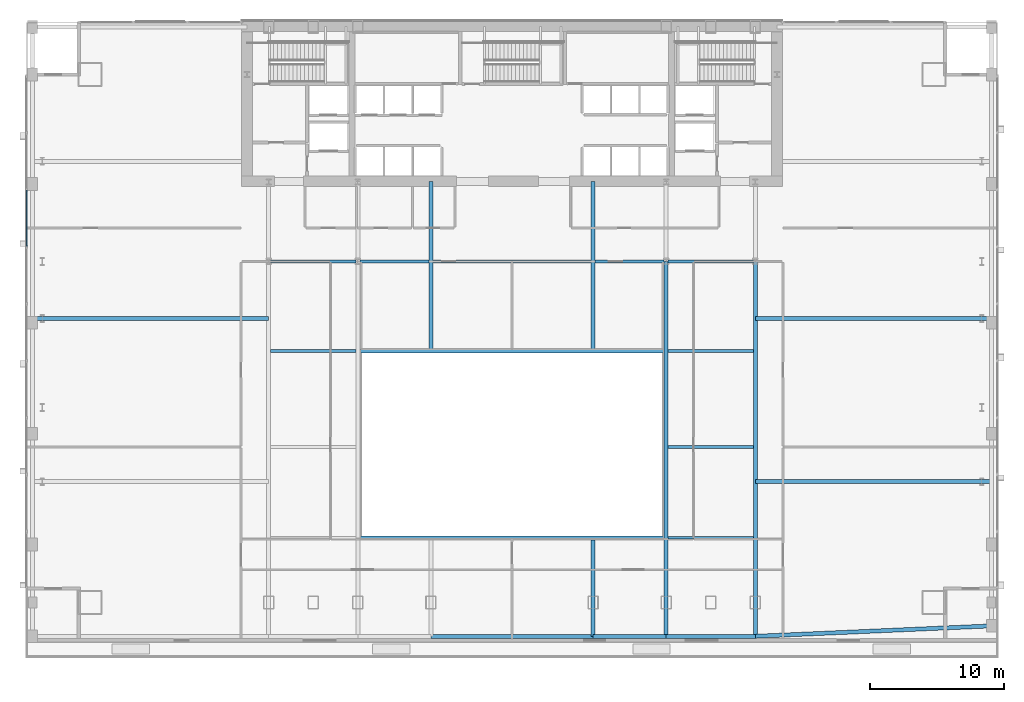
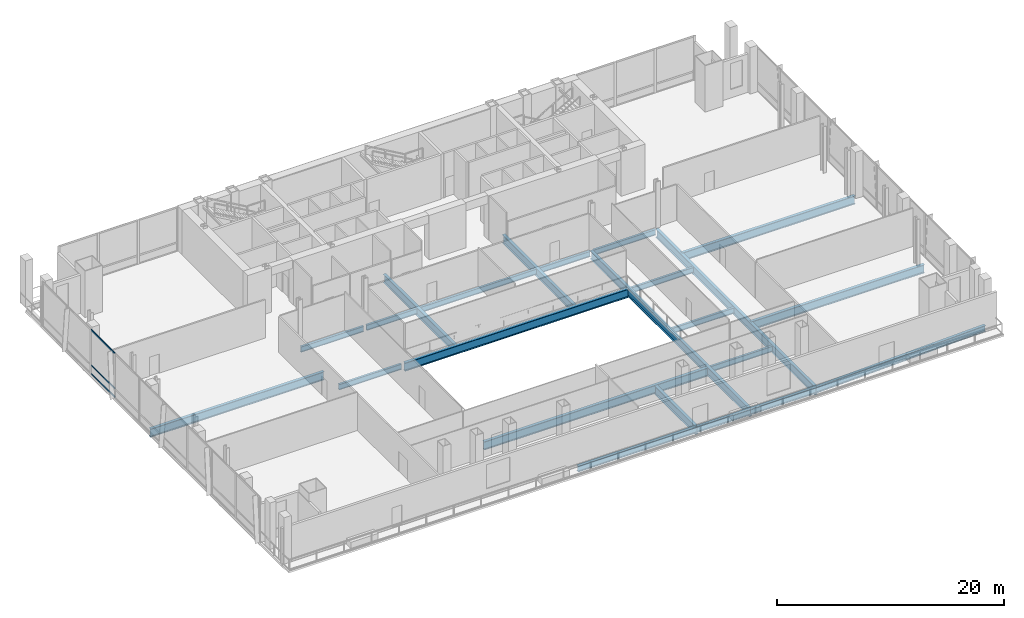
# One storey, part 9 of 25: 23 beams, 3 members, 1 element without a shape of its own.
"""IFC4 building model written with IfcOpenShell, lengths in metres."""

from ifc_helpers import new_model, si_unit, direction, frame, origin, origin_2d, place, context, subcontext, project, spatial, hollow_rectangle, i_section, extrude, material, material_profile, profile_set, type_object, element, aggregate, save


model = new_model("IFC4")

# Units and contexts
model_context = context("Model", 3, precision=1e-05, world=origin(), true_north=direction((0.0, 1.0)))
body_context = subcontext(model_context, "Body", "Model", "MODEL_VIEW")
ifc_project = project(units=[si_unit("LENGTHUNIT", "METRE"), si_unit("AREAUNIT", "SQUARE_METRE"), si_unit("VOLUMEUNIT", "CUBIC_METRE"), si_unit("PLANEANGLEUNIT", "RADIAN"), si_unit("MASSUNIT", "GRAM", prefix="KILO")], contexts=[model_context])

# Site, building, storey
site_placement = place(None, origin())
site = spatial("IfcSite", under=ifc_project, at=site_placement, CompositionType="ELEMENT")
building_placement = place(site_placement, origin())
building = spatial("IfcBuilding", under=site, at=building_placement, Name="Khoronbel Lancet Exchange", CompositionType="ELEMENT")
storey_placement = place(building_placement, frame((0.0, 0.0, 15.39990234375)))
storey = spatial("IfcBuildingStorey", under=building, at=storey_placement, Name="L03", CompositionType="ELEMENT", Elevation=15.39990234375)

# Beams
ifc_material_1 = material(Name="Steel S355", Category="steel")
ifc_material_profile_1 = material_profile(ifc_material_1, i_section(OverallWidth=0.300048828125, OverallDepth=0.89990234375, WebThickness=0.0185546875, FlangeThickness=0.034912109375, at=origin_2d()), Name="HEB 900")
ifc_profile_set_1 = profile_set([ifc_material_profile_1], Name="Steel S355")
beam_type_1 = type_object("IfcBeamType", Name="BM-BG1", PredefinedType="BEAM", material=ifc_profile_set_1)
for number, where, z_axis, x_axis, name in (
    (1, (25.050048828125, 15.0, -0.64990234375), (1.0, 0.0, 0.0), (0.0, 1.0, 0.0), "Level L03 exchange hall void header girder ATRS"),
    (2, (25.050048828125, 29.0, -0.64990234375), (1.0, 0.0, 0.0), (0.0, 1.0, 0.0), "Level L03 exchange hall void header girder ATRN"),
):
    element("IfcBeam", number, at=place(storey_placement, frame(where, z_axis=z_axis, x_axis=x_axis)), inside=storey, type_object=beam_type_1, Name=name, PredefinedType="BEAM", context=body_context, shape_type="SweptSolid", body=[
        extrude(i_section(OverallWidth=0.300048828125, OverallDepth=0.89990234375, WebThickness=0.0185546875, FlangeThickness=0.034912109375, at=origin_2d()), origin(), (0.0, 0.0, 1.0), 22.800048828125),
    ])
beam_1_placement = place(storey_placement, frame((30.375, 29.14990234375, -0.64990234375), z_axis=(0.0, 1.0, 0.0), x_axis=(-1.0, 0.0, 0.0)))
element("IfcBeam", 3, at=beam_1_placement, inside=storey, type_object=beam_type_1, Name="Level L03 north gallery girder GN3", PredefinedType="BEAM", context=body_context, shape_type="SweptSolid", body=[
    extrude(i_section(OverallWidth=0.300048828125, OverallDepth=0.89990234375, WebThickness=0.0185546875, FlangeThickness=0.034912109375, at=origin_2d()), origin(), (0.0, 0.0, 1.0), 12.550048828125),
])
beam_2_placement = place(storey_placement, frame((42.52490234375, 7.6201171875, -0.64990234375), z_axis=(0.0, 1.0, 0.0), x_axis=(-1.0, 0.0, 0.0)))
element("IfcBeam", 4, at=beam_2_placement, inside=storey, type_object=beam_type_1, Name="Level L03 south gallery & terrace cantilever girder GS4", PredefinedType="BEAM", context=body_context, shape_type="SweptSolid", body=[
    extrude(i_section(OverallWidth=0.300048828125, OverallDepth=0.89990234375, WebThickness=0.0185546875, FlangeThickness=0.034912109375, at=origin_2d()), origin(), (0.0, 0.0, 1.0), 7.22998046875),
])
beam_3_placement = place(storey_placement, frame((42.52490234375, 29.14990234375, -0.64990234375), z_axis=(0.0, 1.0, 0.0), x_axis=(-1.0, 0.0, 0.0)))
element("IfcBeam", 5, at=beam_3_placement, inside=storey, type_object=beam_type_1, Name="Level L03 north gallery girder GN4", PredefinedType="BEAM", context=body_context, shape_type="SweptSolid", body=[
    extrude(i_section(OverallWidth=0.300048828125, OverallDepth=0.89990234375, WebThickness=0.0185546875, FlangeThickness=0.034912109375, at=origin_2d()), origin(), (0.0, 0.0, 1.0), 12.550048828125),
])
for number, where, z_axis, x_axis, name in (
    (6, (48.0, 7.6201171875, -0.64990234375), (0.0, 1.0, 0.0), (-1.0, 0.0, 0.0), "Level L03 south primary girder GS5"),
    (7, (54.675048828125, 7.6201171875, -0.64990234375), (0.0, 1.0, 0.0), (-1.0, 0.0, 0.0), "Level L03 south primary girder GS6"),
):
    element("IfcBeam", number, at=place(storey_placement, frame(where, z_axis=z_axis, x_axis=x_axis)), inside=storey, type_object=beam_type_1, Name=name, PredefinedType="BEAM", context=body_context, shape_type="SweptSolid", body=[
        extrude(i_section(OverallWidth=0.300048828125, OverallDepth=0.89990234375, WebThickness=0.0185546875, FlangeThickness=0.034912109375, at=origin_2d()), origin(), (0.0, 0.0, 1.0), 28.079833984375),
    ])
for number, where, z_axis, x_axis, name in (
    (8, (54.675048828125, 19.199951171875, -0.64990234375), (1.0, 0.0, 0.0), (0.0, 1.0, 0.0), "Level L03 east lens tie girder LG1E"),
    (9, (0.550048828125, 31.425048828125, -0.64990234375), (1.0, 0.0, 0.0), (0.0, 1.0, 0.0), "Level L03 west lens tie girder LG2W"),
    (10, (54.675048828125, 31.425048828125, -0.64990234375), (1.0, 0.0, 0.0), (0.0, 1.0, 0.0), "Level L03 east lens tie girder LG2E"),
):
    element("IfcBeam", number, at=place(storey_placement, frame(where, z_axis=z_axis, x_axis=x_axis)), inside=storey, type_object=beam_type_1, Name=name, PredefinedType="BEAM", context=body_context, shape_type="SweptSolid", body=[
        extrude(i_section(OverallWidth=0.300048828125, OverallDepth=0.89990234375, WebThickness=0.0185546875, FlangeThickness=0.034912109375, at=origin_2d()), origin(), (0.0, 0.0, 1.0), 17.675048828125),
    ])
ifc_material_profile_2 = material_profile(ifc_material_1, i_section(OverallWidth=0.219970703125, OverallDepth=0.60009765625, WebThickness=0.011962890625, FlangeThickness=0.01904296875, at=origin_2d()), Name="IPE 600")
ifc_profile_set_2 = profile_set([ifc_material_profile_2], Name="Steel S355")
beam_type_2 = type_object("IfcBeamType", Name="BM-BJ1", PredefinedType="JOIST", material=ifc_profile_set_2)
for number, where, z_axis, x_axis, name in (
    (11, (48.14990234375, 15.0, -0.5), (1.0, 0.0, 0.0), (0.0, 1.0, 0.0), "Level L03 secondary composite joist J02"),
    (12, (48.14990234375, 21.800048828125, -0.5), (1.0, 0.0, 0.0), (0.0, 1.0, 0.0), "Level L03 secondary composite joist J04"),
    (13, (18.375, 29.0, -0.5), (1.0, 0.0, 0.0), (0.0, 1.0, 0.0), "Level L03 secondary composite joist J05"),
    (14, (48.14990234375, 29.0, -0.5), (1.0, 0.0, 0.0), (0.0, 1.0, 0.0), "Level L03 secondary composite joist J06"),
    (15, (18.375, 35.699951171875, -0.5), (1.0, 0.0, 0.0), (0.0, 1.0, 0.0), "Level L03 secondary composite joist J07"),
):
    element("IfcBeam", number, at=place(storey_placement, frame(where, z_axis=z_axis, x_axis=x_axis)), inside=storey, type_object=beam_type_2, Name=name, PredefinedType="JOIST", context=body_context, shape_type="SweptSolid", body=[
        extrude(i_section(OverallWidth=0.219970703125, OverallDepth=0.60009765625, WebThickness=0.011962890625, FlangeThickness=0.01904296875, at=origin_2d()), origin(), (0.0, 0.0, 1.0), 6.375),
    ])
beam_4_placement = place(storey_placement, frame((25.050048828125, 35.699951171875, -0.5), z_axis=(1.0, 0.0, 0.0), x_axis=(0.0, 1.0, 0.0)))
element("IfcBeam", 16, at=beam_4_placement, inside=storey, type_object=beam_type_2, Name="Level L03 secondary composite joist J08", PredefinedType="JOIST", context=body_context, shape_type="SweptSolid", body=[
    extrude(i_section(OverallWidth=0.219970703125, OverallDepth=0.60009765625, WebThickness=0.011962890625, FlangeThickness=0.01904296875, at=origin_2d()), origin(), (0.0, 0.0, 1.0), 5.175048828125),
])
beam_5_placement = place(storey_placement, frame((30.52490234375, 35.699951171875, -0.5), z_axis=(1.0, 0.0, 0.0), x_axis=(0.0, 1.0, 0.0)))
element("IfcBeam", 17, at=beam_5_placement, inside=storey, type_object=beam_type_2, Name="Level L03 secondary composite joist J09", PredefinedType="JOIST", context=body_context, shape_type="SweptSolid", body=[
    extrude(i_section(OverallWidth=0.219970703125, OverallDepth=0.60009765625, WebThickness=0.011962890625, FlangeThickness=0.01904296875, at=origin_2d()), origin(), (0.0, 0.0, 1.0), 11.85009765625),
])
beam_6_placement = place(storey_placement, frame((42.675048828125, 35.699951171875, -0.5), z_axis=(1.0, 0.0, 0.0), x_axis=(0.0, 1.0, 0.0)))
element("IfcBeam", 18, at=beam_6_placement, inside=storey, type_object=beam_type_2, Name="Level L03 secondary composite joist J10", PredefinedType="JOIST", context=body_context, shape_type="SweptSolid", body=[
    extrude(i_section(OverallWidth=0.219970703125, OverallDepth=0.60009765625, WebThickness=0.011962890625, FlangeThickness=0.01904296875, at=origin_2d()), origin(), (0.0, 0.0, 1.0), 5.175048828125),
])
beam_7_placement = place(storey_placement, frame((48.14990234375, 35.699951171875, -0.5), z_axis=(1.0, 0.0, 0.0), x_axis=(0.0, 1.0, 0.0)))
element("IfcBeam", 19, at=beam_7_placement, inside=storey, type_object=beam_type_2, Name="Level L03 secondary composite joist J11", PredefinedType="JOIST", context=body_context, shape_type="SweptSolid", body=[
    extrude(i_section(OverallWidth=0.219970703125, OverallDepth=0.60009765625, WebThickness=0.011962890625, FlangeThickness=0.01904296875, at=origin_2d()), origin(), (0.0, 0.0, 1.0), 6.375),
])
ifc_material_profile_3 = material_profile(ifc_material_1, i_section(OverallWidth=0.300048828125, OverallDepth=0.64990234375, WebThickness=0.01611328125, FlangeThickness=0.031005859375, at=origin_2d()), Name="HEB 650")
ifc_profile_set_3 = profile_set([ifc_material_profile_3], Name="Steel S355")
beam_type_3 = type_object("IfcBeamType", Name="BM-BSP1", PredefinedType="SPANDREL", material=ifc_profile_set_3)
beam_8_placement = place(storey_placement, frame((30.375, 7.6201171875, -0.52490234375), z_axis=(1.0, 0.0, 0.0), x_axis=(0.0, 1.0, 0.0)))
element("IfcBeam", 20, at=beam_8_placement, inside=storey, type_object=beam_type_3, Name="Level L03 perimeter spandrel beam SP04", PredefinedType="SPANDREL", context=body_context, shape_type="SweptSolid", body=[
    extrude(i_section(OverallWidth=0.300048828125, OverallDepth=0.64990234375, WebThickness=0.01611328125, FlangeThickness=0.031005859375, at=origin_2d()), origin(), (0.0, 0.0, 1.0), 12.14990234375),
])
beam_9_placement = place(storey_placement, frame((42.52490234375, 7.6201171875, -0.52490234375), z_axis=(1.0, 0.0, 0.0), x_axis=(0.0, 1.0, 0.0)))
element("IfcBeam", 21, at=beam_9_placement, inside=storey, type_object=beam_type_3, Name="Level L03 perimeter spandrel beam SP05", PredefinedType="SPANDREL", context=body_context, shape_type="SweptSolid", body=[
    extrude(i_section(OverallWidth=0.300048828125, OverallDepth=0.64990234375, WebThickness=0.01611328125, FlangeThickness=0.031005859375, at=origin_2d()), origin(), (0.0, 0.0, 1.0), 5.47509765625),
])
beam_10_placement = place(storey_placement, frame((48.0, 7.6201171875, -0.52490234375), z_axis=(1.0, 0.0, 0.0), x_axis=(0.0, 1.0, 0.0)))
element("IfcBeam", 22, at=beam_10_placement, inside=storey, type_object=beam_type_3, Name="Level L03 perimeter spandrel beam SP06", PredefinedType="SPANDREL", context=body_context, shape_type="SweptSolid", body=[
    extrude(i_section(OverallWidth=0.300048828125, OverallDepth=0.64990234375, WebThickness=0.01611328125, FlangeThickness=0.031005859375, at=origin_2d()), origin(), (0.0, 0.0, 1.0), 6.675048828125),
])
beam_11_placement = place(storey_placement, frame((54.675048828125, 7.6201171875, -0.52490234375), z_axis=(0.999028226002, 0.044074977608, 0.0), x_axis=(-0.044074977608, 0.999028226002, 0.0)))
element("IfcBeam", 23, at=beam_11_placement, inside=storey, type_object=beam_type_3, Name="Level L03 perimeter spandrel beam SP07", PredefinedType="SPANDREL", context=body_context, shape_type="SweptSolid", body=[
    extrude(i_section(OverallWidth=0.300048828125, OverallDepth=0.64990234375, WebThickness=0.01611328125, FlangeThickness=0.031005859375, at=origin_2d()), origin(), (0.0, 0.0, 1.0), 17.692138671875),
])

# Curtain wall, members
ifc_material_2 = material(Name="Low-E Solar Control Insulating Glass", Category="glass")
curtain_wall_type = type_object("IfcCurtainWallType", Name="CW-5", PredefinedType="NOTDEFINED", material=ifc_material_2)
curtain_wall_placement = place(storey_placement, origin())
curtain_wall = element("IfcCurtainWall", 24, at=curtain_wall_placement, inside=storey, type_object=curtain_wall_type, Name="Unitised curtain wall CW-L03-WEST", PredefinedType="NOTDEFINED")
ifc_material_3 = material(Name="Bronze-Anodised Aluminium 6063-T6", Category="aluminium")
ifc_material_profile_4 = material_profile(ifc_material_3, hollow_rectangle(XDim=0.074951171875, YDim=0.14990234375, WallThickness=0.00439453125, at=origin_2d()), Name="ALU TRANSOM 75x150")
ifc_profile_set_4 = profile_set([ifc_material_profile_4], Name="Bronze-Anodised Aluminium 6063-T6")
member_type = type_object("IfcMemberType", Name="MEM-CWT2", PredefinedType="USERDEFINED", material=ifc_profile_set_4)
member_1_placement = place(storey_placement, frame((0.10009765625, 41.024169921875, 0.03759765625), z_axis=(0.0, -1.0, 0.0), x_axis=(1.0, 0.0, 0.0)))
member_1 = element("IfcMember", 25, at=member_1_placement, type_object=member_type, Name="CW5 transom 3.1", ObjectType="TRANSOM", PredefinedType="USERDEFINED", context=body_context, shape_type="SweptSolid", body=[
    extrude(hollow_rectangle(XDim=0.074951171875, YDim=0.14990234375, WallThickness=0.00439453125, at=origin_2d()), origin(), (0.0, 0.0, 1.0), 4.181640625),
])
member_2_placement = place(storey_placement, frame((0.10009765625, 41.024169921875, 0.9501953125), z_axis=(0.0, -1.0, 0.0), x_axis=(1.0, 0.0, 0.0)))
member_2 = element("IfcMember", 26, at=member_2_placement, type_object=member_type, Name="CW5 transom 3.2", ObjectType="TRANSOM", PredefinedType="USERDEFINED", context=body_context, shape_type="SweptSolid", body=[
    extrude(hollow_rectangle(XDim=0.074951171875, YDim=0.14990234375, WallThickness=0.00439453125, at=origin_2d()), origin(), (0.0, 0.0, 1.0), 4.181640625),
])
member_3_placement = place(storey_placement, frame((0.10009765625, 41.024169921875, 4.74267578125), z_axis=(0.0, -1.0, 0.0), x_axis=(1.0, 0.0, 0.0)))
member_3 = element("IfcMember", 27, at=member_3_placement, type_object=member_type, Name="CW5 transom 3.3", ObjectType="TRANSOM", PredefinedType="USERDEFINED", context=body_context, shape_type="SweptSolid", body=[
    extrude(hollow_rectangle(XDim=0.074951171875, YDim=0.14990234375, WallThickness=0.00439453125, at=origin_2d()), origin(), (0.0, 0.0, 1.0), 4.181640625),
])
aggregate(curtain_wall, [member_1, member_2, member_3])

save(model, "model.ifc")
